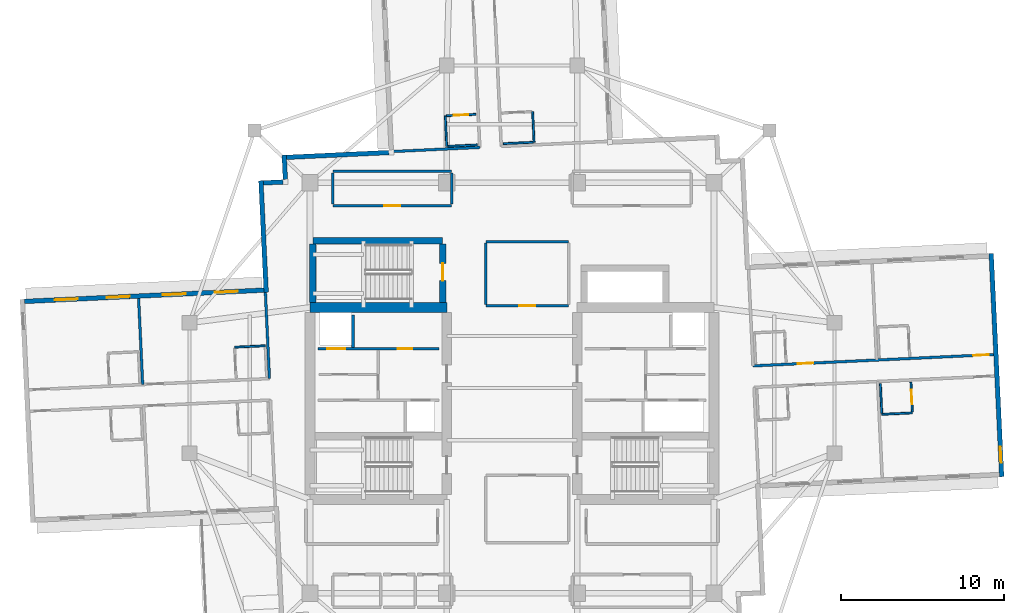
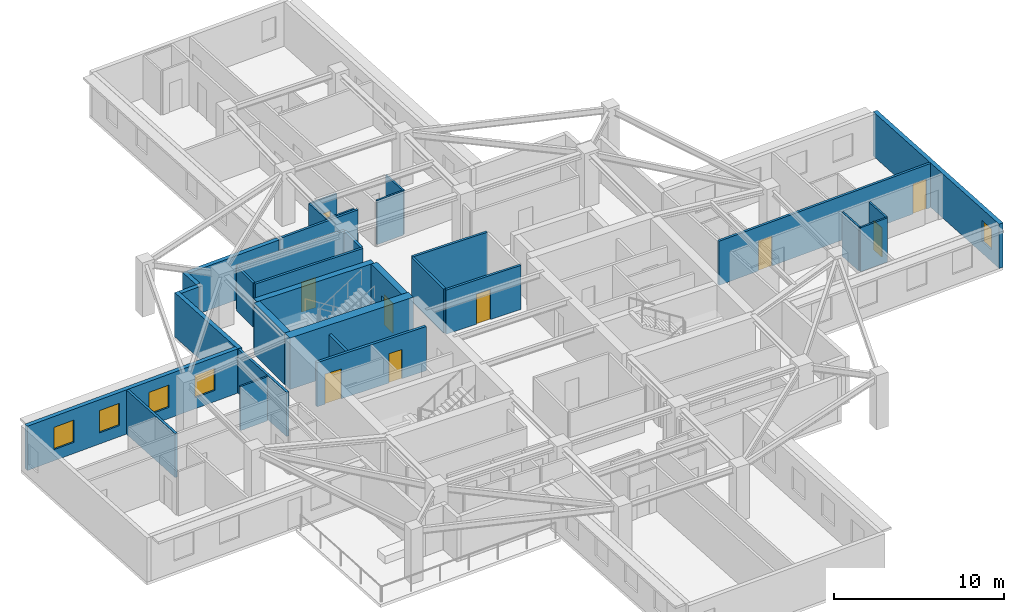
# One storey, part 6 of 12: 32 walls, 9 doors, 5 windows, 14 openings.
"""IFC4 building model written with IfcOpenShell, lengths in metres."""

from ifc_helpers import new_model, si_unit, direction, frame, frame_2d, origin, place, context, subcontext, project, spatial, rectangle, extrude, material, layer, layer_set, type_object, element, fill, save


model = new_model("IFC4")

# Units and contexts
model_context = context("Model", 3, precision=1e-05, world=origin(), true_north=direction((0.0, 1.0)))
body_context = subcontext(model_context, "Body", "Model", "MODEL_VIEW")
ifc_project = project(units=[si_unit("LENGTHUNIT", "METRE"), si_unit("AREAUNIT", "SQUARE_METRE"), si_unit("VOLUMEUNIT", "CUBIC_METRE"), si_unit("PLANEANGLEUNIT", "RADIAN"), si_unit("MASSUNIT", "GRAM", prefix="KILO")], contexts=[model_context])

# Site, building, storey
site_placement = place(None, origin())
site = spatial("IfcSite", under=ifc_project, at=site_placement, CompositionType="ELEMENT")
building_placement = place(site_placement, origin())
building = spatial("IfcBuilding", under=site, at=building_placement, Name="Qingluan Cross Belvedere", CompositionType="ELEMENT")
storey_placement = place(building_placement, frame((0.0, 0.0, 213.0)))
storey = spatial("IfcBuildingStorey", under=building, at=storey_placement, Name="L53", CompositionType="ELEMENT", Elevation=213.0)

# Walls
ifc_material_1 = material(Name="Concrete C50", Category="concrete")
ifc_layer_1 = layer(ifc_material_1, 0.449951171875, Name="CoreShearWall_450")
ifc_layer_set_1 = layer_set([ifc_layer_1], Name="Concrete C50")
wall_type_1 = type_object("IfcWallType", Name="CoreShearWall_450", PredefinedType="SHEAR", material=ifc_layer_set_1)
wall_1_placement = place(storey_placement, frame((-12.219970703125, 9.0400390625, 0.0), z_axis=(0.0, 0.0, 1.0), x_axis=(1.0, 0.0, 0.0)))
element("IfcWall", 1, at=wall_1_placement, inside=storey, type_object=wall_type_1, Name="Stair ST3 structural wall N L53", PredefinedType="SHEAR", context=body_context, shape_type="SweptSolid", body=[
    extrude(rectangle(XDim=7.9599609375, YDim=0.39990234375, at=frame_2d((3.97998046875, 0.0))), origin(), (0.0, 0.0, 1.0), 3.699951171875),
])
wall_2_placement = place(storey_placement, frame((-12.219970703125, 5.2548828125, 0.0), z_axis=(0.0, 0.0, 1.0), x_axis=(0.0, 1.0, 0.0)))
element("IfcWall", 2, at=wall_2_placement, inside=storey, type_object=wall_type_1, Name="Stair ST3 structural wall W L53", PredefinedType="SHEAR", context=body_context, shape_type="SweptSolid", body=[
    extrude(rectangle(XDim=3.580078125, YDim=0.39990234375, at=frame_2d((1.7900390625, 0.0))), origin(), (0.0, 0.0, 1.0), 3.699951171875),
])

# Wall, opening, door
wall_3_placement = place(storey_placement, frame((-4.260009765625, 5.2548828125, 0.0), z_axis=(0.0, 0.0, 1.0), x_axis=(0.0, 1.0, 0.0)))
wall_3 = element("IfcWall", 3, at=wall_3_placement, inside=storey, type_object=wall_type_1, Name="Stair ST3 structural wall E L53", PredefinedType="SHEAR", context=body_context, shape_type="SweptSolid", body=[
    extrude(rectangle(XDim=3.580078125, YDim=0.39990234375, at=frame_2d((1.7900390625, 0.0))), origin(), (0.0, 0.0, 1.0), 3.699951171875),
])
opening_1_placement = place(wall_3_placement, frame((1.344970703125, 0.0, 0.0)))
opening_1 = element("IfcOpeningElement", 4, at=opening_1_placement, cuts=wall_3, Name="Opening FD-B11", PredefinedType="OPENING", context=body_context, shape_type="SweptSolid", body=[
    extrude(rectangle(XDim=1.050048828125, YDim=2.14990234375, at=frame_2d((0.52490234375, 1.074951171875))), frame((0.0, 0.2099609375, 0.0), z_axis=(0.0, -1.0, 0.0), x_axis=(1.0, 0.0, 0.0)), (0.0, 0.0, 1.0), 0.419921875),
])
ifc_material_2 = material(Name="Steel Class B smoke-seal fire door", Category="steel")
door_type_1 = type_object("IfcDoorType", Name="StairLobbyFireDoor_FDB", OperationType="NOTDEFINED", PredefinedType="DOOR", material=ifc_material_2)
door_1_placement = place(opening_1_placement, origin())
door_1 = element("IfcDoor", 5, at=door_1_placement, inside=storey, type_object=door_type_1, Name="Smoke-proof stair ST3 fire door L53", OperationType="SINGLE_SWING_LEFT", OverallHeight=2.14990234375, OverallWidth=1.050048828125, PredefinedType="DOOR", context=body_context, shape_type="SweptSolid", body=[
    extrude(rectangle(XDim=1.050048828125, YDim=2.14990234375, at=frame_2d((0.52490234375, 1.074951171875))), frame((0.0, 0.02490234375, 0.0), z_axis=(0.0, -1.0, 0.0), x_axis=(1.0, 0.0, 0.0)), (0.0, 0.0, 1.0), 0.050048828125),
])
fill(opening_1, door_1)

# Wall
ifc_material_3 = material(Name="Concrete C60", Category="concrete")
ifc_layer_2 = layer(ifc_material_3, 0.60009765625, Name="CoreShearWall_600")
ifc_layer_set_2 = layer_set([ifc_layer_2], Name="Concrete C60")
wall_type_2 = type_object("IfcWallType", Name="CoreShearWall_600", PredefinedType="SHEAR", material=ifc_layer_set_2)
wall_4_placement = place(storey_placement, frame((-12.39990234375, 4.949951171875, 0.0), z_axis=(0.0, 0.0, 1.0), x_axis=(1.0, 0.0, 0.0)))
element("IfcWall", 6, at=wall_4_placement, inside=storey, type_object=wall_type_2, Name="Split core W shear wall L53-N", PredefinedType="SHEAR", context=body_context, shape_type="SweptSolid", body=[
    extrude(rectangle(XDim=8.39990234375, YDim=0.60009765625, at=frame_2d((4.199951171875, 0.0))), origin(), (0.0, 0.0, 1.0), 3.699951171875),
])

# Wall, opening, door
ifc_material_4 = material(Name="Gypsum plasterboard on steel stud acoustic partition", Category="steel")
ifc_layer_3 = layer(ifc_material_4, 0.159912109375, Name="CorridorPartition_160")
ifc_layer_set_3 = layer_set([ifc_layer_3], Name="Gypsum plasterboard on steel stud acoustic partition")
wall_type_3 = type_object("IfcWallType", Name="CorridorPartition_160", PredefinedType="PARTITIONING", material=ifc_layer_set_3)
wall_5_placement = place(storey_placement, frame((-11.0, 11.199951171875, 0.0), z_axis=(0.0, 0.0, 1.0), x_axis=(1.0, 0.0, 0.0)))
wall_5 = element("IfcWall", 7, at=wall_5_placement, inside=storey, type_object=wall_type_3, Name="Partition L53:q_nw_occ:S", PredefinedType="PARTITIONING", context=body_context, shape_type="SweptSolid", body=[
    extrude(rectangle(XDim=7.300048828125, YDim=0.159912109375, at=frame_2d((3.64990234375, 0.0))), origin(), (0.0, 0.0, 1.0), 3.169921875),
])
opening_2_placement = place(wall_5_placement, frame((3.169921875, 0.0, 0.0)))
opening_2 = element("IfcOpeningElement", 8, at=opening_2_placement, cuts=wall_5, Name="Opening GD-10", PredefinedType="OPENING", context=body_context, shape_type="SweptSolid", body=[
    extrude(rectangle(XDim=0.9599609375, YDim=2.14990234375, at=frame_2d((0.47998046875, 1.074951171875))), frame((0.0, 0.08984375, 0.0), z_axis=(0.0, -1.0, 0.0), x_axis=(1.0, 0.0, 0.0)), (0.0, 0.0, 1.0), 0.179931640625),
])
ifc_material_5 = material(Name="Timber oak fire-rated acoustic guestroom door", Category="wood")
door_type_2 = type_object("IfcDoorType", Name="GuestEntryDoor_FD60", OperationType="NOTDEFINED", PredefinedType="DOOR", material=ifc_material_5)
door_2_placement = place(opening_2_placement, origin())
door_2 = element("IfcDoor", 9, at=door_2_placement, inside=storey, type_object=door_type_2, Name="Northwest sky reading salon L53 door", OperationType="SINGLE_SWING_RIGHT", OverallHeight=2.14990234375, OverallWidth=0.9599609375, PredefinedType="DOOR", context=body_context, shape_type="SweptSolid", body=[
    extrude(rectangle(XDim=0.9599609375, YDim=2.14990234375, at=frame_2d((0.47998046875, 1.074951171875))), frame((0.0, 0.02490234375, 0.0), z_axis=(0.0, -1.0, 0.0), x_axis=(1.0, 0.0, 0.0)), (0.0, 0.0, 1.0), 0.050048828125),
])
fill(opening_2, door_2)

# Walls
wall_6_placement = place(storey_placement, frame((-11.0, 13.300048828125, 0.0), z_axis=(0.0, 0.0, 1.0), x_axis=(1.0, 0.0, 0.0)))
element("IfcWall", 10, at=wall_6_placement, inside=storey, type_object=wall_type_3, Name="Partition L53:q_nw_occ:N", PredefinedType="PARTITIONING", context=body_context, shape_type="SweptSolid", body=[
    extrude(rectangle(XDim=7.300048828125, YDim=0.159912109375, at=frame_2d((3.64990234375, 0.0))), origin(), (0.0, 0.0, 1.0), 3.169921875),
])
for number, where, z_axis, x_axis, name in (
    (11, (-11.0, 11.284912109375, 0.0), (0.0, 0.0, 1.0), (0.0, 1.0, 0.0), "Partition L53:q_nw_occ:W"),
    (12, (-3.699951171875, 11.284912109375, 0.0), (0.0, 0.0, 1.0), (0.0, 1.0, 0.0), "Partition L53:q_nw_occ:E"),
):
    element("IfcWall", number, at=place(storey_placement, frame(where, z_axis=z_axis, x_axis=x_axis)), inside=storey, type_object=wall_type_3, Name=name, PredefinedType="PARTITIONING", context=body_context, shape_type="SweptSolid", body=[
        extrude(rectangle(XDim=1.93017578125, YDim=0.159912109375, at=frame_2d((0.965087890625, 0.0))), origin(), (0.0, 0.0, 1.0), 3.169921875),
    ])

# Wall, opening, door
wall_7_placement = place(storey_placement, frame((-1.60009765625, 5.050048828125, 0.0), z_axis=(0.0, 0.0, 1.0), x_axis=(1.0, 0.0, 0.0)))
wall_7 = element("IfcWall", 13, at=wall_7_placement, inside=storey, type_object=wall_type_3, Name="Partition L53:sky_tea_alcove:S", PredefinedType="PARTITIONING", context=body_context, shape_type="SweptSolid", body=[
    extrude(rectangle(XDim=5.080078125, YDim=0.159912109375, at=frame_2d((2.5400390625, 0.0))), origin(), (0.0, 0.0, 1.0), 3.169921875),
])
opening_3_placement = place(wall_7_placement, frame((2.06005859375, 0.0, 0.0)))
opening_3 = element("IfcOpeningElement", 14, at=opening_3_placement, cuts=wall_7, Name="Opening GD-10", PredefinedType="OPENING", context=body_context, shape_type="SweptSolid", body=[
    extrude(rectangle(XDim=0.9599609375, YDim=2.14990234375, at=frame_2d((0.47998046875, 1.074951171875))), frame((0.0, 0.08984375, 0.0), z_axis=(0.0, -1.0, 0.0), x_axis=(1.0, 0.0, 0.0)), (0.0, 0.0, 1.0), 0.179931640625),
])
door_3_placement = place(opening_3_placement, origin())
door_3 = element("IfcDoor", 15, at=door_3_placement, inside=storey, type_object=door_type_2, Name="Sky horizon tea salon L53 door", OperationType="SINGLE_SWING_RIGHT", OverallHeight=2.14990234375, OverallWidth=0.9599609375, PredefinedType="DOOR", context=body_context, shape_type="SweptSolid", body=[
    extrude(rectangle(XDim=0.9599609375, YDim=2.14990234375, at=frame_2d((0.47998046875, 1.074951171875))), frame((0.0, 0.02490234375, 0.0), z_axis=(0.0, -1.0, 0.0), x_axis=(1.0, 0.0, 0.0)), (0.0, 0.0, 1.0), 0.050048828125),
])
fill(opening_3, door_3)

# Walls
wall_8_placement = place(storey_placement, frame((-1.60009765625, 8.97998046875, 0.0), z_axis=(0.0, 0.0, 1.0), x_axis=(1.0, 0.0, 0.0)))
element("IfcWall", 16, at=wall_8_placement, inside=storey, type_object=wall_type_3, Name="Partition L53:sky_tea_alcove:N", PredefinedType="PARTITIONING", context=body_context, shape_type="SweptSolid", body=[
    extrude(rectangle(XDim=5.080078125, YDim=0.159912109375, at=frame_2d((2.5400390625, 0.0))), origin(), (0.0, 0.0, 1.0), 3.169921875),
])
wall_9_placement = place(storey_placement, frame((-1.60009765625, 5.135009765625, 0.0), z_axis=(0.0, 0.0, 1.0), x_axis=(0.0, 1.0, 0.0)))
element("IfcWall", 17, at=wall_9_placement, inside=storey, type_object=wall_type_3, Name="Partition L53:sky_tea_alcove:W", PredefinedType="PARTITIONING", context=body_context, shape_type="SweptSolid", body=[
    extrude(rectangle(XDim=3.760009765625, YDim=0.159912109375, at=frame_2d((1.8798828125, 0.0))), origin(), (0.0, 0.0, 1.0), 3.169921875),
])

# Wall, openings, doors
wall_10_placement = place(storey_placement, frame((14.802490234375, 1.35888671875, 0.0), z_axis=(0.0, 0.0, 1.0), x_axis=(0.99889000272, 0.04710374153, 0.0)))
wall_10 = element("IfcWall", 18, at=wall_10_placement, inside=storey, type_object=wall_type_3, Name="Partition L53:E:c0", PredefinedType="PARTITIONING", context=body_context, shape_type="SweptSolid", body=[
    extrude(rectangle(XDim=14.781982421875, YDim=0.159912109375, at=frame_2d((7.39111328125, 0.0))), origin(), (0.0, 0.0, 1.0), 3.169921875),
])
opening_4_placement = place(wall_10_placement, frame((2.739990234375, 0.0, 0.0)))
opening_4 = element("IfcOpeningElement", 19, at=opening_4_placement, cuts=wall_10, Name="Opening GD-10", PredefinedType="OPENING", context=body_context, shape_type="SweptSolid", body=[
    extrude(rectangle(XDim=0.9599609375, YDim=2.14990234375, at=frame_2d((0.47998046875, 1.074951171875))), frame((0.0, 0.08984375, 0.0), z_axis=(0.0, -1.0, 0.0), x_axis=(1.0, 0.0, 0.0)), (0.0, 0.0, 1.0), 0.179931640625),
])
opening_5_placement = place(wall_10_placement, frame((13.530029296875, 0.0, 0.0)))
opening_5 = element("IfcOpeningElement", 20, at=opening_5_placement, cuts=wall_10, Name="Opening GD-10", PredefinedType="OPENING", context=body_context, shape_type="SweptSolid", body=[
    extrude(rectangle(XDim=0.9599609375, YDim=2.14990234375, at=frame_2d((0.47998046875, 1.074951171875))), frame((0.0, 0.08984375, 0.0), z_axis=(0.0, -1.0, 0.0), x_axis=(1.0, 0.0, 0.0)), (0.0, 0.0, 1.0), 0.179931640625),
])
door_4_placement = place(opening_4_placement, origin())
door_4 = element("IfcDoor", 21, at=door_4_placement, inside=storey, type_object=door_type_2, Name="Guest entry fire door 5301", OperationType="SINGLE_SWING_RIGHT", OverallHeight=2.14990234375, OverallWidth=0.9599609375, PredefinedType="DOOR", context=body_context, shape_type="SweptSolid", body=[
    extrude(rectangle(XDim=0.9599609375, YDim=2.14990234375, at=frame_2d((0.47998046875, 1.074951171875))), frame((0.0, 0.02490234375, 0.0), z_axis=(0.0, -1.0, 0.0), x_axis=(1.0, 0.0, 0.0)), (0.0, 0.0, 1.0), 0.050048828125),
])
fill(opening_4, door_4)
door_5_placement = place(opening_5_placement, origin())
door_5 = element("IfcDoor", 22, at=door_5_placement, inside=storey, type_object=door_type_2, Name="Guest entry fire door 5302", OperationType="SINGLE_SWING_RIGHT", OverallHeight=2.14990234375, OverallWidth=0.9599609375, PredefinedType="DOOR", context=body_context, shape_type="SweptSolid", body=[
    extrude(rectangle(XDim=0.9599609375, YDim=2.14990234375, at=frame_2d((0.47998046875, 1.074951171875))), frame((0.0, 0.02490234375, 0.0), z_axis=(0.0, -1.0, 0.0), x_axis=(1.0, 0.0, 0.0)), (0.0, 0.0, 1.0), 0.050048828125),
])
fill(opening_5, door_5)

# Walls
for number, where, z_axis, x_axis, name in (
    (23, (-14.893798828125, 0.5791015625, 0.0), (0.0, 0.0, 1.0), (-0.04710265772, 0.998890053828, 0.0), "Partition L53:W:s0"),
    (24, (-22.67822265625, 0.2119140625, 0.0), (0.0, 0.0, 1.0), (-0.04710265772, 0.998890053828, 0.0), "Partition L53:W:d0_0"),
):
    element("IfcWall", number, at=place(storey_placement, frame(where, z_axis=z_axis, x_axis=x_axis)), inside=storey, type_object=wall_type_3, Name=name, PredefinedType="PARTITIONING", context=body_context, shape_type="SweptSolid", body=[
        extrude(rectangle(XDim=5.2919921875, YDim=0.159912109375, at=frame_2d((2.64599609375, 0.0))), origin(), (0.0, 0.0, 1.0), 3.169921875),
    ])
wall_11_placement = place(storey_placement, frame((-1.97802734375, 14.773193359375, 0.0), z_axis=(0.0, 0.0, 1.0), x_axis=(-0.998891269579, -0.047076868622, 0.0)))
element("IfcWall", 25, at=wall_11_placement, inside=storey, type_object=wall_type_3, Name="Partition L53:N:s1", PredefinedType="PARTITIONING", context=body_context, shape_type="SweptSolid", body=[
    extrude(rectangle(XDim=5.440185546875, YDim=0.159912109375, at=frame_2d((2.72021484375, 0.0))), origin(), (0.0, 0.0, 1.0), 3.169921875),
])

# Wall, opening, door
ifc_material_6 = material(Name="Moisture-resistant gypsum board lining")
ifc_layer_4 = layer(ifc_material_6, 0.1201171875, Name="EnsuiteWetPartition_120")
ifc_layer_set_4 = layer_set([ifc_layer_4], Name="Moisture-resistant gypsum board lining")
wall_type_4 = type_object("IfcWallType", Name="EnsuiteWetPartition_120", PredefinedType="PARTITIONING", material=ifc_layer_set_4)
wall_12_placement = place(storey_placement, frame((24.582275390625, -1.463623046875, 0.0), z_axis=(0.0, 0.0, 1.0), x_axis=(-0.047087116047, 0.998890786574, 0.0)))
wall_12 = element("IfcWall", 26, at=wall_12_placement, inside=storey, type_object=wall_type_4, Name="Partition L53:E:bs1_1", PredefinedType="PARTITIONING", context=body_context, shape_type="SweptSolid", body=[
    extrude(rectangle(XDim=1.81982421875, YDim=0.1201171875, at=frame_2d((0.909912109375, 0.0))), origin(), (0.0, 0.0, 1.0), 3.169921875),
])
opening_6_placement = place(wall_12_placement, frame((0.469970703125, 0.0, 0.0)))
opening_6 = element("IfcOpeningElement", 27, at=opening_6_placement, cuts=wall_12, Name="Opening BD-09", PredefinedType="OPENING", context=body_context, shape_type="SweptSolid", body=[
    extrude(rectangle(XDim=0.8798828125, YDim=2.10009765625, at=frame_2d((0.43994140625, 1.050048828125))), frame((0.0, 0.070068359375, 0.0), z_axis=(0.0, -1.0, 0.0), x_axis=(1.0, 0.0, 0.0)), (0.0, 0.0, 1.0), 0.14013671875),
])
ifc_material_7 = material(Name="Moisture-sealed timber en-suite door", Category="wood")
door_type_3 = type_object("IfcDoorType", Name="BathroomDoor_880", OperationType="NOTDEFINED", PredefinedType="DOOR", material=ifc_material_7)
door_6_placement = place(opening_6_placement, origin())
door_6 = element("IfcDoor", 28, at=door_6_placement, inside=storey, type_object=door_type_3, Name="Bathroom door 5304", OperationType="SINGLE_SWING_LEFT", OverallHeight=2.10009765625, OverallWidth=0.8798828125, PredefinedType="DOOR", context=body_context, shape_type="SweptSolid", body=[
    extrude(rectangle(XDim=0.8798828125, YDim=2.10009765625, at=frame_2d((0.43994140625, 1.050048828125))), frame((0.0, 0.02490234375, 0.0), z_axis=(0.0, -1.0, 0.0), x_axis=(1.0, 0.0, 0.0)), (0.0, 0.0, 1.0), 0.050048828125),
])
fill(opening_6, door_6)

# Walls
wall_13_placement = place(storey_placement, frame((22.704345703125, -1.55224609375, 0.0), z_axis=(0.0, 0.0, 1.0), x_axis=(-0.047080807099, 0.998891083954, 0.0)))
element("IfcWall", 29, at=wall_13_placement, inside=storey, type_object=wall_type_4, Name="Partition L53:E:bw1_1", PredefinedType="PARTITIONING", context=body_context, shape_type="SweptSolid", body=[
    extrude(rectangle(XDim=1.820068359375, YDim=0.1201171875, at=frame_2d((0.91015625, 0.0))), origin(), (0.0, 0.0, 1.0), 3.169921875),
])
wall_14_placement = place(storey_placement, frame((22.70751953125, -1.6171875, 0.0), z_axis=(0.0, 0.0, 1.0), x_axis=(0.998888030748, 0.047145540913, 0.0)))
element("IfcWall", 30, at=wall_14_placement, inside=storey, type_object=wall_type_4, Name="Partition L53:E:bc1_1", PredefinedType="PARTITIONING", context=body_context, shape_type="SweptSolid", body=[
    extrude(rectangle(XDim=1.8798828125, YDim=0.1201171875, at=frame_2d((0.93994140625, 0.0))), origin(), (0.0, 0.0, 1.0), 3.169921875),
])
wall_15_placement = place(storey_placement, frame((-15.14892578125, 2.59423828125, 0.0), z_axis=(0.0, 0.0, 1.0), x_axis=(-0.998888319371, -0.047139425368, 0.0)))
element("IfcWall", 31, at=wall_15_placement, inside=storey, type_object=wall_type_4, Name="Partition L53:W:bn0_0", PredefinedType="PARTITIONING", context=body_context, shape_type="SweptSolid", body=[
    extrude(rectangle(XDim=1.880126953125, YDim=0.1201171875, at=frame_2d((0.93994140625, 0.0))), origin(), (0.0, 0.0, 1.0), 3.169921875),
])
wall_16_placement = place(storey_placement, frame((-0.52734375, 15.001708984375, 0.0), z_axis=(0.0, 0.0, 1.0), x_axis=(0.998891083954, 0.047080807099, 0.0)))
element("IfcWall", 32, at=wall_16_placement, inside=storey, type_object=wall_type_4, Name="Partition L53:N:bw0_0", PredefinedType="PARTITIONING", context=body_context, shape_type="SweptSolid", body=[
    extrude(rectangle(XDim=1.820068359375, YDim=0.1201171875, at=frame_2d((0.91015625, 0.0))), origin(), (0.0, 0.0, 1.0), 3.169921875),
])
wall_17_placement = place(storey_placement, frame((1.355712890625, 15.090576171875, 0.0), z_axis=(0.0, 0.0, 1.0), x_axis=(-0.047139425368, 0.998888319371, 0.0)))
element("IfcWall", 33, at=wall_17_placement, inside=storey, type_object=wall_type_4, Name="Partition L53:N:bn0_0", PredefinedType="PARTITIONING", context=body_context, shape_type="SweptSolid", body=[
    extrude(rectangle(XDim=1.880126953125, YDim=0.1201171875, at=frame_2d((0.93994140625, 0.0))), origin(), (0.0, 0.0, 1.0), 3.169921875),
])

# Wall, opening, door
wall_18_placement = place(storey_placement, frame((-4.031982421875, 16.718505859375, 0.0), z_axis=(0.0, 0.0, 1.0), x_axis=(0.998884467853, 0.047220968666, 0.0)))
wall_18 = element("IfcWall", 34, at=wall_18_placement, inside=storey, type_object=wall_type_4, Name="Partition L53:N:bs1_0", PredefinedType="PARTITIONING", context=body_context, shape_type="SweptSolid", body=[
    extrude(rectangle(XDim=1.81982421875, YDim=0.1201171875, at=frame_2d((0.909912109375, 0.0))), origin(), (0.0, 0.0, 1.0), 3.169921875),
])
opening_7_placement = place(wall_18_placement, frame((0.469970703125, 0.0, 0.0)))
opening_7 = element("IfcOpeningElement", 35, at=opening_7_placement, cuts=wall_18, Name="Opening BD-09", PredefinedType="OPENING", context=body_context, shape_type="SweptSolid", body=[
    extrude(rectangle(XDim=0.8798828125, YDim=2.10009765625, at=frame_2d((0.43994140625, 1.050048828125))), frame((0.0, 0.070068359375, 0.0), z_axis=(0.0, -1.0, 0.0), x_axis=(1.0, 0.0, 0.0)), (0.0, 0.0, 1.0), 0.14013671875),
])
door_7_placement = place(opening_7_placement, origin())
door_7 = element("IfcDoor", 36, at=door_7_placement, inside=storey, type_object=door_type_3, Name="Bathroom door 5311", OperationType="SINGLE_SWING_LEFT", OverallHeight=2.10009765625, OverallWidth=0.8798828125, PredefinedType="DOOR", context=body_context, shape_type="SweptSolid", body=[
    extrude(rectangle(XDim=0.8798828125, YDim=2.10009765625, at=frame_2d((0.43994140625, 1.050048828125))), frame((0.0, 0.02490234375, 0.0), z_axis=(0.0, -1.0, 0.0), x_axis=(1.0, 0.0, 0.0)), (0.0, 0.0, 1.0), 0.050048828125),
])
fill(opening_7, door_7)

# Walls
wall_19_placement = place(storey_placement, frame((-3.943603515625, 14.8408203125, 0.0), z_axis=(0.0, 0.0, 1.0), x_axis=(0.998891083954, 0.047080807099, 0.0)))
element("IfcWall", 37, at=wall_19_placement, inside=storey, type_object=wall_type_4, Name="Partition L53:N:bw1_0", PredefinedType="PARTITIONING", context=body_context, shape_type="SweptSolid", body=[
    extrude(rectangle(XDim=1.820068359375, YDim=0.1201171875, at=frame_2d((0.91015625, 0.0))), origin(), (0.0, 0.0, 1.0), 3.169921875),
])
wall_20_placement = place(storey_placement, frame((-4.00830078125, 14.837646484375, 0.0), z_axis=(0.0, 0.0, 1.0), x_axis=(-0.047139425368, 0.998888319371, 0.0)))
element("IfcWall", 38, at=wall_20_placement, inside=storey, type_object=wall_type_4, Name="Partition L53:N:bc1_0", PredefinedType="PARTITIONING", context=body_context, shape_type="SweptSolid", body=[
    extrude(rectangle(XDim=1.880126953125, YDim=0.1201171875, at=frame_2d((0.93994140625, 0.0))), origin(), (0.0, 0.0, 1.0), 3.169921875),
])

# Wall, opening, window
ifc_material_8 = material(Name="Precast concrete C45", Category="concrete")
ifc_layer_5 = layer(ifc_material_8, 0.280029296875, Name="PrecastFacadeWall_280")
ifc_layer_set_5 = layer_set([ifc_layer_5], Name="Precast concrete C45")
wall_type_5 = type_object("IfcWallType", Name="PrecastFacadeWall_280", PredefinedType="STANDARD", material=ifc_layer_set_5)
wall_21_placement = place(storey_placement, frame((30.070068359375, -5.44970703125, 0.0), z_axis=(0.0, 0.0, 1.0), x_axis=(-0.047101845086, 0.998890092147, 0.0)))
wall_21 = element("IfcWall", 39, at=wall_21_placement, inside=storey, type_object=wall_type_5, Name="Arm tip precast facade wall L53-E", PredefinedType="STANDARD", context=body_context, shape_type="SweptSolid", body=[
    extrude(rectangle(XDim=13.719970703125, YDim=0.280029296875, at=frame_2d((6.85986328125, 0.0))), origin(), (0.0, 0.0, 1.0), 3.179931640625),
])
opening_8_placement = place(wall_21_placement, frame((0.85009765625, 0.0, 0.85009765625)))
opening_8 = element("IfcOpeningElement", 40, at=opening_8_placement, cuts=wall_21, Name="Opening W-03", PredefinedType="OPENING", context=body_context, shape_type="SweptSolid", body=[
    extrude(rectangle(XDim=1.0, YDim=1.5, at=frame_2d((0.5, 0.75))), frame((0.0, 0.14990234375, 0.0), z_axis=(0.0, -1.0, 0.0), x_axis=(1.0, 0.0, 0.0)), (0.0, 0.0, 1.0), 0.300048828125),
])
ifc_material_9 = material(Name="Thermally broken triple Low-E glass in aluminium frame", Category="aluminium")
window_type_1 = type_object("IfcWindowType", Name="TriApexWin_1000x1500", PartitioningType="SINGLE_PANEL", PredefinedType="WINDOW", material=ifc_material_9)
window_1_placement = place(opening_8_placement, origin())
window_1 = element("IfcWindow", 41, at=window_1_placement, inside=storey, type_object=window_type_1, Name="Arm tip triangular window L53-E", OverallHeight=1.5, OverallWidth=1.0, PartitioningType="SINGLE_PANEL", PredefinedType="WINDOW", context=body_context, shape_type="SweptSolid", body=[
    extrude(rectangle(XDim=1.0, YDim=1.5, at=frame_2d((0.5, 0.75))), frame((0.0, 0.030029296875, 0.0), z_axis=(0.0, -1.0, 0.0), x_axis=(1.0, 0.0, 0.0)), (0.0, 0.0, 1.0), 0.06005859375),
])
fill(opening_8, window_1)

# Wall, openings, windows
wall_22_placement = place(storey_placement, frame((-15.239990234375, 6.0087890625, 0.0), z_axis=(0.0, 0.0, 1.0), x_axis=(-0.998890124275, -0.047101163748, 0.0)))
wall_22 = element("IfcWall", 42, at=wall_22_placement, inside=storey, type_object=wall_type_5, Name="Facade wall L53-WA", PredefinedType="STANDARD", context=body_context, shape_type="SweptSolid", body=[
    extrude(rectangle(XDim=14.699951171875, YDim=0.280029296875, at=frame_2d((7.35009765625, 0.0))), origin(), (0.0, 0.0, 1.0), 3.179931640625),
])
opening_9_placement = place(wall_22_placement, frame((1.60009765625, 0.0, 0.800048828125)))
opening_9 = element("IfcOpeningElement", 43, at=opening_9_placement, cuts=wall_22, Name="Opening W-01", PredefinedType="OPENING", context=body_context, shape_type="SweptSolid", body=[
    extrude(rectangle(XDim=1.39990234375, YDim=1.60009765625, at=frame_2d((0.699951171875, 0.800048828125))), frame((0.0, 0.14990234375, 0.0), z_axis=(0.0, -1.0, 0.0), x_axis=(1.0, 0.0, 0.0)), (0.0, 0.0, 1.0), 0.300048828125),
])
opening_10_placement = place(wall_22_placement, frame((4.800048828125, 0.0, 0.800048828125)))
opening_10 = element("IfcOpeningElement", 44, at=opening_10_placement, cuts=wall_22, Name="Opening W-01", PredefinedType="OPENING", context=body_context, shape_type="SweptSolid", body=[
    extrude(rectangle(XDim=1.39990234375, YDim=1.60009765625, at=frame_2d((0.699951171875, 0.800048828125))), frame((0.0, 0.14990234375, 0.0), z_axis=(0.0, -1.0, 0.0), x_axis=(1.0, 0.0, 0.0)), (0.0, 0.0, 1.0), 0.300048828125),
])
opening_11_placement = place(wall_22_placement, frame((8.25, 0.0, 0.800048828125)))
opening_11 = element("IfcOpeningElement", 45, at=opening_11_placement, cuts=wall_22, Name="Opening W-01", PredefinedType="OPENING", context=body_context, shape_type="SweptSolid", body=[
    extrude(rectangle(XDim=1.39990234375, YDim=1.60009765625, at=frame_2d((0.699951171875, 0.800048828125))), frame((0.0, 0.14990234375, 0.0), z_axis=(0.0, -1.0, 0.0), x_axis=(1.0, 0.0, 0.0)), (0.0, 0.0, 1.0), 0.300048828125),
])
opening_12_placement = place(wall_22_placement, frame((11.449951171875, 0.0, 0.800048828125)))
opening_12 = element("IfcOpeningElement", 46, at=opening_12_placement, cuts=wall_22, Name="Opening W-01", PredefinedType="OPENING", context=body_context, shape_type="SweptSolid", body=[
    extrude(rectangle(XDim=1.39990234375, YDim=1.60009765625, at=frame_2d((0.699951171875, 0.800048828125))), frame((0.0, 0.14990234375, 0.0), z_axis=(0.0, -1.0, 0.0), x_axis=(1.0, 0.0, 0.0)), (0.0, 0.0, 1.0), 0.300048828125),
])
ifc_material_10 = material(Name="Thermally broken triple Low-E glass in aluminium frame", Category="aluminium")
window_type_2 = type_object("IfcWindowType", Name="TriRibbonWin_1400x1600", PartitioningType="SINGLE_PANEL", PredefinedType="WINDOW", material=ifc_material_10)
window_2_placement = place(opening_9_placement, origin())
window_2 = element("IfcWindow", 47, at=window_2_placement, inside=storey, type_object=window_type_2, Name="Ribbon window L53-WA-1", OverallHeight=1.60009765625, OverallWidth=1.39990234375, PartitioningType="SINGLE_PANEL", PredefinedType="WINDOW", context=body_context, shape_type="SweptSolid", body=[
    extrude(rectangle(XDim=1.39990234375, YDim=1.60009765625, at=frame_2d((0.699951171875, 0.800048828125))), frame((0.0, 0.030029296875, 0.0), z_axis=(0.0, -1.0, 0.0), x_axis=(1.0, 0.0, 0.0)), (0.0, 0.0, 1.0), 0.06005859375),
])
fill(opening_9, window_2)
window_3_placement = place(opening_10_placement, origin())
window_3 = element("IfcWindow", 48, at=window_3_placement, inside=storey, type_object=window_type_2, Name="Ribbon window L53-WA-2", OverallHeight=1.60009765625, OverallWidth=1.39990234375, PartitioningType="SINGLE_PANEL", PredefinedType="WINDOW", context=body_context, shape_type="SweptSolid", body=[
    extrude(rectangle(XDim=1.39990234375, YDim=1.60009765625, at=frame_2d((0.699951171875, 0.800048828125))), frame((0.0, 0.030029296875, 0.0), z_axis=(0.0, -1.0, 0.0), x_axis=(1.0, 0.0, 0.0)), (0.0, 0.0, 1.0), 0.06005859375),
])
fill(opening_10, window_3)
window_4_placement = place(opening_11_placement, origin())
window_4 = element("IfcWindow", 49, at=window_4_placement, inside=storey, type_object=window_type_2, Name="Ribbon window L53-WA-3", OverallHeight=1.60009765625, OverallWidth=1.39990234375, PartitioningType="SINGLE_PANEL", PredefinedType="WINDOW", context=body_context, shape_type="SweptSolid", body=[
    extrude(rectangle(XDim=1.39990234375, YDim=1.60009765625, at=frame_2d((0.699951171875, 0.800048828125))), frame((0.0, 0.030029296875, 0.0), z_axis=(0.0, -1.0, 0.0), x_axis=(1.0, 0.0, 0.0)), (0.0, 0.0, 1.0), 0.06005859375),
])
fill(opening_11, window_4)
window_5_placement = place(opening_12_placement, origin())
window_5 = element("IfcWindow", 50, at=window_5_placement, inside=storey, type_object=window_type_2, Name="Ribbon window L53-WA-4", OverallHeight=1.60009765625, OverallWidth=1.39990234375, PartitioningType="SINGLE_PANEL", PredefinedType="WINDOW", context=body_context, shape_type="SweptSolid", body=[
    extrude(rectangle(XDim=1.39990234375, YDim=1.60009765625, at=frame_2d((0.699951171875, 0.800048828125))), frame((0.0, 0.030029296875, 0.0), z_axis=(0.0, -1.0, 0.0), x_axis=(1.0, 0.0, 0.0)), (0.0, 0.0, 1.0), 0.06005859375),
])
fill(opening_12, window_5)

# Walls
wall_23_placement = place(storey_placement, frame((-15.093505859375, 5.87548828125, 0.0), z_axis=(0.0, 0.0, 1.0), x_axis=(-0.04712043756, 0.998889215261, 0.0)))
element("IfcWall", 51, at=wall_23_placement, inside=storey, type_object=wall_type_5, Name="Corner wall L53-NW1", PredefinedType="STANDARD", context=body_context, shape_type="SweptSolid", body=[
    extrude(rectangle(XDim=6.85986328125, YDim=0.280029296875, at=frame_2d((3.429931640625, 0.0))), origin(), (0.0, 0.0, 1.0), 3.179931640625),
])
wall_24_placement = place(storey_placement, frame((-15.270263671875, 12.5947265625, 0.0), z_axis=(0.0, 0.0, 1.0), x_axis=(0.998893795343, 0.047023245574, 0.0)))
element("IfcWall", 52, at=wall_24_placement, inside=storey, type_object=wall_type_5, Name="Corner wall L53-NW2", PredefinedType="STANDARD", context=body_context, shape_type="SweptSolid", body=[
    extrude(rectangle(XDim=1.22021484375, YDim=0.280029296875, at=frame_2d((0.610107421875, 0.0))), origin(), (0.0, 0.0, 1.0), 3.179931640625),
])
wall_25_placement = place(storey_placement, frame((-13.918212890625, 12.798583984375, 0.0), z_axis=(0.0, 0.0, 1.0), x_axis=(-0.047201688113, 0.99888537913, 0.0)))
element("IfcWall", 53, at=wall_25_placement, inside=storey, type_object=wall_type_5, Name="Corner wall L53-NW3", PredefinedType="STANDARD", context=body_context, shape_type="SweptSolid", body=[
    extrude(rectangle(XDim=1.5, YDim=0.280029296875, at=frame_2d((0.75, 0.0))), origin(), (0.0, 0.0, 1.0), 3.179931640625),
])
wall_26_placement = place(storey_placement, frame((-13.842529296875, 14.16357421875, 0.0), z_axis=(0.0, 0.0, 1.0), x_axis=(0.998889082162, 0.047123258997, 0.0)))
element("IfcWall", 54, at=wall_26_placement, inside=storey, type_object=wall_type_5, Name="Corner wall L53-NW4", PredefinedType="STANDARD", context=body_context, shape_type="SweptSolid", body=[
    extrude(rectangle(XDim=6.300048828125, YDim=0.280029296875, at=frame_2d((3.14990234375, 0.0))), origin(), (0.0, 0.0, 1.0), 3.179931640625),
])

# Wall, openings, doors
ifc_material_11 = material(Name="Concrete C40", Category="concrete")
ifc_layer_6 = layer(ifc_material_11, 0.219970703125, Name="ShaftEnclosureWall_250")
ifc_layer_set_6 = layer_set([ifc_layer_6], Name="Concrete C40")
wall_type_6 = type_object("IfcWallType", Name="ShaftEnclosureWall_250", PredefinedType="SOLIDWALL", material=ifc_layer_set_6)
wall_27_placement = place(storey_placement, frame((-11.89990234375, 2.409912109375, 0.0), z_axis=(0.0, 0.0, 1.0), x_axis=(1.0, 0.0, 0.0)))
wall_27 = element("IfcWall", 55, at=wall_27_placement, inside=storey, type_object=wall_type_6, Name="Core-W north hoistway wall L53", PredefinedType="SOLIDWALL", context=body_context, shape_type="SweptSolid", body=[
    extrude(rectangle(XDim=7.419921875, YDim=0.179931640625, at=frame_2d((3.7099609375, 0.0))), origin(), (0.0, 0.0, 1.0), 3.169921875),
])
opening_13_placement = place(wall_27_placement, frame((0.550048828125, 0.0, 0.0)))
opening_13 = element("IfcOpeningElement", 56, at=opening_13_placement, cuts=wall_27, Name="Opening LD-11", PredefinedType="OPENING", context=body_context, shape_type="SweptSolid", body=[
    extrude(rectangle(XDim=1.10009765625, YDim=2.14990234375, at=frame_2d((0.550048828125, 1.074951171875))), frame((0.0, 0.099853515625, 0.0), z_axis=(0.0, -1.0, 0.0), x_axis=(1.0, 0.0, 0.0)), (0.0, 0.0, 1.0), 0.199951171875),
])
opening_14_placement = place(wall_27_placement, frame((4.89990234375, 0.0, 0.0)))
opening_14 = element("IfcOpeningElement", 57, at=opening_14_placement, cuts=wall_27, Name="Opening FD-B10", PredefinedType="OPENING", context=body_context, shape_type="SweptSolid", body=[
    extrude(rectangle(XDim=0.8798828125, YDim=2.10009765625, at=frame_2d((0.43994140625, 1.050048828125))), frame((0.0, 0.099853515625, 0.0), z_axis=(0.0, -1.0, 0.0), x_axis=(1.0, 0.0, 0.0)), (0.0, 0.0, 1.0), 0.199951171875),
])
ifc_material_12 = material(Name="Brushed stainless steel centre-opening lift landing door", Category="steel")
door_type_4 = type_object("IfcDoorType", Name="LiftLandingSlidingDoor_1100", OperationType="DOUBLE_DOOR_SLIDING", PredefinedType="DOOR", material=ifc_material_12)
door_8_placement = place(opening_13_placement, origin())
door_8 = element("IfcDoor", 58, at=door_8_placement, inside=storey, type_object=door_type_4, Name="Lift landing sliding door FL1 L53", OperationType="DOUBLE_DOOR_SLIDING", OverallHeight=2.14990234375, OverallWidth=1.10009765625, PredefinedType="DOOR", context=body_context, shape_type="SweptSolid", body=[
    extrude(rectangle(XDim=1.10009765625, YDim=2.14990234375, at=frame_2d((0.550048828125, 1.074951171875))), frame((0.0, 0.02490234375, 0.0), z_axis=(0.0, -1.0, 0.0), x_axis=(1.0, 0.0, 0.0)), (0.0, 0.0, 1.0), 0.050048828125),
])
fill(opening_13, door_8)
ifc_material_13 = material(Name="Steel Class B service fire door", Category="steel")
door_type_5 = type_object("IfcDoorType", Name="RiserServiceFireDoor_FDB", OperationType="NOTDEFINED", PredefinedType="DOOR", material=ifc_material_13)
door_9_placement = place(opening_14_placement, origin())
door_9 = element("IfcDoor", 59, at=door_9_placement, inside=storey, type_object=door_type_5, Name="Housekeeping supply room door W L53", OperationType="SINGLE_SWING_RIGHT", OverallHeight=2.10009765625, OverallWidth=0.8798828125, PredefinedType="DOOR", context=body_context, shape_type="SweptSolid", body=[
    extrude(rectangle(XDim=0.8798828125, YDim=2.10009765625, at=frame_2d((0.43994140625, 1.050048828125))), frame((0.0, 0.02490234375, 0.0), z_axis=(0.0, -1.0, 0.0), x_axis=(1.0, 0.0, 0.0)), (0.0, 0.0, 1.0), 0.050048828125),
])
fill(opening_14, door_9)

# Wall
wall_28_placement = place(storey_placement, frame((-9.760009765625, 2.5, 0.0), z_axis=(0.0, 0.0, 1.0), x_axis=(0.0, 1.0, 0.0)))
element("IfcWall", 60, at=wall_28_placement, inside=storey, type_object=wall_type_6, Name="Hoistway enclosure divider FL1E L53", PredefinedType="SOLIDWALL", context=body_context, shape_type="SweptSolid", body=[
    extrude(rectangle(XDim=1.989990234375, YDim=0.179931640625, at=frame_2d((0.9951171875, 0.0))), origin(), (0.0, 0.0, 1.0), 3.169921875),
])

save(model, "model.ifc")
